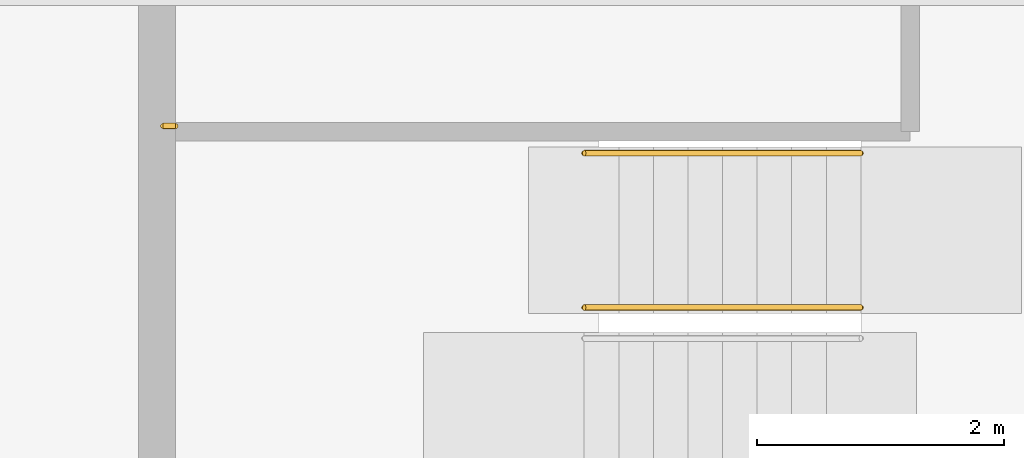
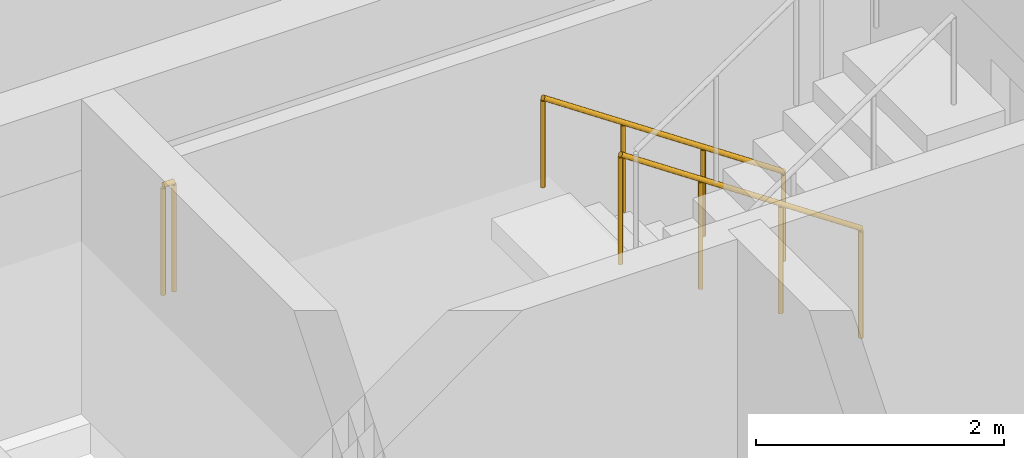
# One storey, part 12 of 13: 3 railings.
"""IFC4 building model written with IfcOpenShell, lengths in metres."""

from ifc_helpers import new_model, si_unit, direction, frame, origin, origin_2d, place, context, subcontext, project, spatial, circle, extrude, material, type_object, element, save


model = new_model("IFC4")

# Units and contexts
model_context = context("Model", 3, precision=1e-05, world=origin(), true_north=direction((0.0, 1.0)))
body_context = subcontext(model_context, "Body", "Model", "MODEL_VIEW")
ifc_project = project(units=[si_unit("LENGTHUNIT", "METRE"), si_unit("AREAUNIT", "SQUARE_METRE"), si_unit("VOLUMEUNIT", "CUBIC_METRE"), si_unit("PLANEANGLEUNIT", "RADIAN"), si_unit("MASSUNIT", "GRAM", prefix="KILO")], contexts=[model_context])

# Site, building, storey
site_placement = place(None, origin())
site = spatial("IfcSite", under=ifc_project, at=site_placement, CompositionType="ELEMENT")
building_placement = place(site_placement, origin())
building = spatial("IfcBuilding", under=site, at=building_placement, Name="Windrow Commons", CompositionType="ELEMENT")
storey_placement = place(building_placement, frame((0.0, 0.0, 243.8)))
storey = spatial("IfcBuildingStorey", under=building, at=storey_placement, Name="L66", CompositionType="ELEMENT", Elevation=243.8)

# Railings
ifc_material_1 = material(Name="Steel S355", Category="steel")
railing_type_1 = type_object("IfcRailingType", Name="Core stair guard 1100", PredefinedType="GUARDRAIL", material=ifc_material_1)
railing_1_placement = place(storey_placement, frame((70.5, 62.355, 0.1889)))
element("IfcRailing", 1, at=railing_1_placement, inside=storey, type_object=railing_type_1, Name="L66 ST-A2 stair guard 1", PredefinedType="GUARDRAIL", context=body_context, shape_type="SweptSolid", body=[
    extrude(circle(Radius=0.024, at=origin_2d()), frame((0.0, 0.0, 1.076), z_axis=(-0.8290030985, 0.0, 0.5592440099), x_axis=(0.0, -1.0, 0.0)), (0.0, 0.0, 1.0), 2.702),
    extrude(circle(Radius=0.021, at=origin_2d()), origin(), (0.0, 0.0, 1.0), 1.052),
    extrude(circle(Radius=0.021, at=origin_2d()), frame((-0.7467, 0.0, 0.5037)), (0.0, 0.0, 1.0), 1.052),
    extrude(circle(Radius=0.021, at=origin_2d()), frame((-1.4933, 0.0, 1.0074)), (0.0, 0.0, 1.0), 1.052),
    extrude(circle(Radius=0.021, at=origin_2d()), frame((-2.24, 0.0, 1.5111)), (0.0, 0.0, 1.0), 1.052),
])
railing_2_placement = place(storey_placement, frame((64.95, 63.825, 1.7)))
element("IfcRailing", 2, at=railing_2_placement, inside=storey, type_object=railing_type_1, Name="L66 ST-A2 stair guard 3", PredefinedType="GUARDRAIL", context=body_context, shape_type="SweptSolid", body=[
    extrude(circle(Radius=0.024, at=origin_2d()), frame((0.0, 0.0, 1.076), z_axis=(-1.0, 0.0, 0.0), x_axis=(0.0, -1.0, 0.0)), (0.0, 0.0, 1.0), 0.1),
    extrude(circle(Radius=0.021, at=origin_2d()), origin(), (0.0, 0.0, 1.0), 1.052),
    extrude(circle(Radius=0.021, at=origin_2d()), frame((-0.1, 0.0, 0.0)), (0.0, 0.0, 1.0), 1.052),
])
ifc_material_2 = material(Name="Steel S355", Category="steel")
railing_type_2 = type_object("IfcRailingType", Name="Core stair handrail 900", PredefinedType="HANDRAIL", material=ifc_material_2)
railing_3_placement = place(storey_placement, frame((70.5, 63.605, 0.1889)))
element("IfcRailing", 3, at=railing_3_placement, inside=storey, type_object=railing_type_2, Name="L66 ST-A2 stair handrail 1", PredefinedType="HANDRAIL", context=body_context, shape_type="SweptSolid", body=[
    extrude(circle(Radius=0.024, at=origin_2d()), frame((0.0, 0.0, 0.876), z_axis=(-0.8290030985, 0.0, 0.5592440099), x_axis=(0.0, -1.0, 0.0)), (0.0, 0.0, 1.0), 2.702),
    extrude(circle(Radius=0.021, at=origin_2d()), origin(), (0.0, 0.0, 1.0), 0.852),
    extrude(circle(Radius=0.021, at=origin_2d()), frame((-0.7467, 0.0, 0.5037)), (0.0, 0.0, 1.0), 0.852),
    extrude(circle(Radius=0.021, at=origin_2d()), frame((-1.4933, 0.0, 1.0074)), (0.0, 0.0, 1.0), 0.852),
    extrude(circle(Radius=0.021, at=origin_2d()), frame((-2.24, 0.0, 1.5111)), (0.0, 0.0, 1.0), 0.852),
])

save(model, "model.ifc")
